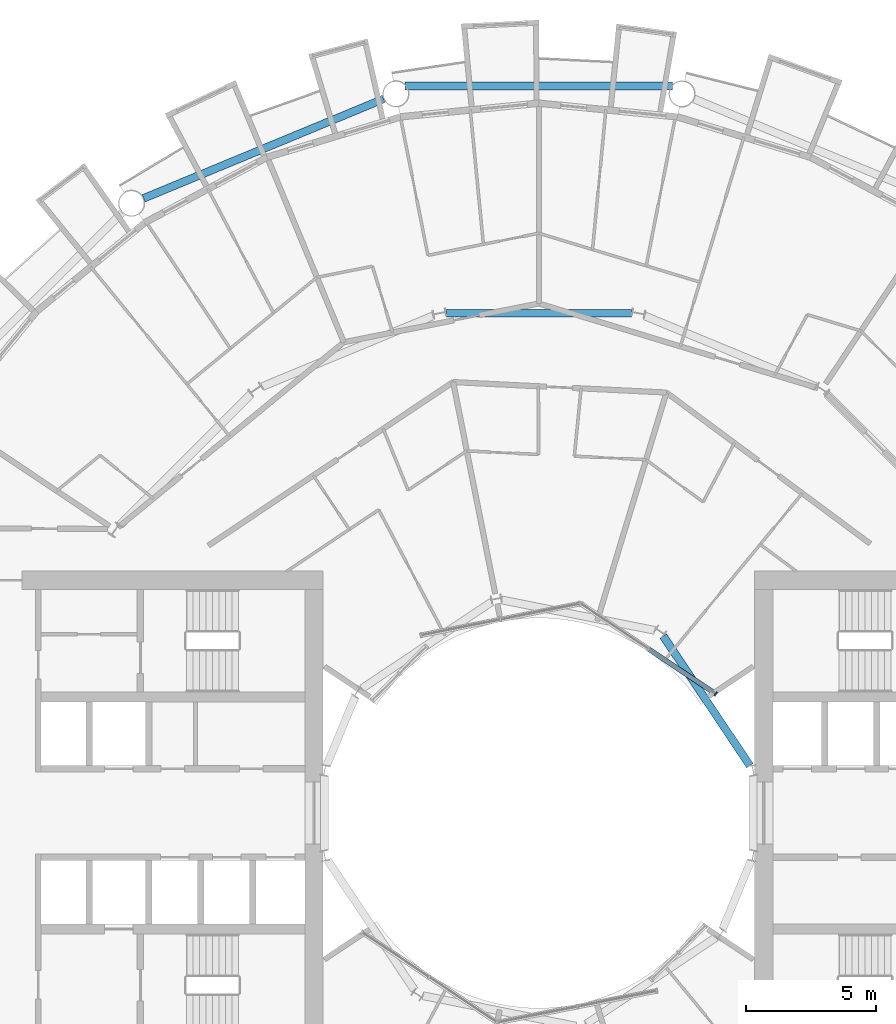
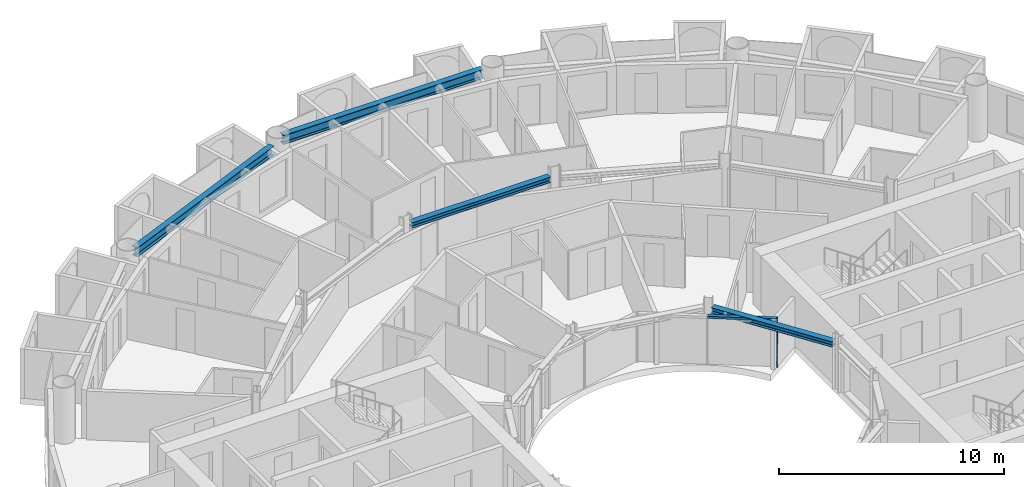
# One storey, part 8 of 25: 4 beams, 2 members, 1 element without a shape of its own.
"""IFC4 building model written with IfcOpenShell, lengths in metres."""

import ifcopenshell
import ifcopenshell.guid

model = None  # the IFC model being written
_history = None  # IfcOwnerHistory: only IFC2X3 demands one
_inside = {}  # id of a spatial element -> (the spatial element, [elements in it])
_under = {}  # id of a project, library or spatial element -> (it, [spatial elements below it])
_declared = {}  # id of a project -> (the project, [libraries it declares])
_typed = {}  # id of a type object -> (the type object, [elements of that type])
_made_of = {}  # id of a material, layer set ... -> (it, [elements and type objects made of it])


def new_model(schema):
    """Start an empty IFC model of exactly this schema.

    Asked for "IFC4X3", IfcOpenShell would pick the latest addendum, in which some entities
    have other attributes; the version numbers below select the first issue.
    IFC2X3 requires an IfcOwnerHistory on every rooted entity: one is made here for all.
    """
    global model, _history
    if schema == "IFC4X3":
        model = ifcopenshell.file(schema_version=(4, 3, 0, 0))
    else:
        model = ifcopenshell.file(schema=schema)
    _inside.clear()
    _under.clear()
    _declared.clear()
    _typed.clear()
    _made_of.clear()
    _history = None
    if model.schema == "IFC2X3":
        org = make("IfcOrganization", Name="unknown")
        user = make(
            "IfcPersonAndOrganization",
            ThePerson=make("IfcPerson", FamilyName="unknown"),
            TheOrganization=org,
        )
        app = make(
            "IfcApplication",
            ApplicationDeveloper=org,
            Version="unknown",
            ApplicationFullName="unknown",
            ApplicationIdentifier="unknown",
        )
        _history = make(
            "IfcOwnerHistory",
            OwningUser=user,
            OwningApplication=app,
            ChangeAction="ADDED",
            CreationDate=0,
        )
    return model


def make(cls, **values):
    """One entity of the class cls with the attributes given. An attribute that is None is left unset."""
    return model.create_entity(
        cls, **{name: value for name, value in values.items() if value is not None}
    )


def rooted(cls, **values):
    """An entity with a GlobalId (a new one), such as an element, a storey or a relation."""
    return make(cls, GlobalId=ifcopenshell.guid.new(), OwnerHistory=_history, **values)


def si_unit(unit_type, name, prefix=None):
    """IfcSIUnit, for example si_unit("LENGTHUNIT", "METRE", prefix="MILLI")."""
    return make("IfcSIUnit", UnitType=unit_type, Prefix=prefix, Name=name)


def assignment(units):
    """IfcUnitAssignment: the units of a project."""
    return None if units is None else make("IfcUnitAssignment", Units=units)


def point(xyz):
    """IfcCartesianPoint."""
    return None if xyz is None else make("IfcCartesianPoint", Coordinates=xyz)


def direction(xyz):
    """IfcDirection."""
    return None if xyz is None else make("IfcDirection", DirectionRatios=xyz)


def frame(location, z_axis=None, x_axis=None):
    """IfcAxis2Placement3D, a coordinate frame: its origin and axes. An axis left out is left unset."""
    return make(
        "IfcAxis2Placement3D",
        Location=point(location),
        Axis=direction(z_axis),
        RefDirection=direction(x_axis),
    )


def frame_2d(location, x_axis=None):
    """IfcAxis2Placement2D, a coordinate frame in the plane: its origin and x axis."""
    return make(
        "IfcAxis2Placement2D", Location=point(location), RefDirection=direction(x_axis)
    )


def origin():
    """The frame at (0, 0, 0) with its axes left unset."""
    return frame((0.0, 0.0, 0.0))


def origin_2d():
    """The frame at (0, 0) in the plane with its x axis left unset."""
    return frame_2d((0.0, 0.0))


def place(relative_to, where):
    """IfcLocalPlacement: puts the frame where relative to a parent placement (None: the world)."""
    return make(
        "IfcLocalPlacement", PlacementRelTo=relative_to, RelativePlacement=where
    )


def context(
    kind, dimensions, precision=None, world=None, true_north=None, identifier=None
):
    """IfcGeometricRepresentationContext, for example the 3D "Model" context."""
    return make(
        "IfcGeometricRepresentationContext",
        ContextIdentifier=identifier,
        ContextType=kind,
        CoordinateSpaceDimension=dimensions,
        Precision=precision,
        WorldCoordinateSystem=world,
        TrueNorth=true_north,
    )


def subcontext(parent, identifier, kind, view, scale=None):
    """IfcGeometricRepresentationSubContext, for example "Body" below "Model"."""
    return make(
        "IfcGeometricRepresentationSubContext",
        ContextIdentifier=identifier,
        ContextType=kind,
        ParentContext=parent,
        TargetScale=scale,
        TargetView=view,
    )


def project(units=None, contexts=None):
    """IfcProject with its units and contexts."""
    return rooted(
        "IfcProject",
        Name="project",
        RepresentationContexts=contexts,
        UnitsInContext=assignment(units),
    )


def spatial(cls, under=None, at=None, **own):
    """A site, building, storey or space (cls), placed at a placement, below another one or the project."""
    s = rooted(cls, ObjectPlacement=at, **own)
    if under is not None:
        _under.setdefault(under.id(), (under, []))[1].append(s)
    return s


def profile(cls, at=None, kind="AREA", **sizes):
    """A parametric profile (cls). Its sizes go by their IFC names, for example OverallWidth=200.0."""
    return make(cls, ProfileType=kind, Position=at, **sizes)


def rectangle(**sizes):
    """IfcRectangleProfileDef."""
    return profile("IfcRectangleProfileDef", **sizes)


def i_section(**sizes):
    """IfcIShapeProfileDef."""
    return profile("IfcIShapeProfileDef", **sizes)


def extrude(swept, where, along, depth):
    """IfcExtrudedAreaSolid: the profile swept, set in the frame where, extruded along a direction by depth."""
    return make(
        "IfcExtrudedAreaSolid",
        SweptArea=swept,
        Position=where,
        ExtrudedDirection=direction(along),
        Depth=depth,
    )


def shape(context_of_items, identifier, shape_type, items):
    """IfcShapeRepresentation: the items that make up one representation, for example the "Body"."""
    return make(
        "IfcShapeRepresentation",
        ContextOfItems=context_of_items,
        RepresentationIdentifier=identifier,
        RepresentationType=shape_type,
        Items=items,
    )


def material(Name=None, Category=None):
    """IfcMaterial."""
    return make("IfcMaterial", Name=Name, Category=Category)


def layer(
    of_material, thickness, ventilated=None, Name=None, Category=None, Priority=None
):
    """IfcMaterialLayer: one layer of a wall or slab, of a material (None: an air gap)."""
    return make(
        "IfcMaterialLayer",
        Material=of_material,
        LayerThickness=thickness,
        IsVentilated=ventilated,
        Name=Name,
        Category=Category,
        Priority=Priority,
    )


def layer_set(layers, Name=None):
    """IfcMaterialLayerSet."""
    return make("IfcMaterialLayerSet", MaterialLayers=layers, LayerSetName=Name)


def material_profile(
    of_material, cross_section, Name=None, Category=None, Priority=None
):
    """IfcMaterialProfile: a cross section and its material."""
    return make(
        "IfcMaterialProfile",
        Name=Name,
        Material=of_material,
        Profile=cross_section,
        Priority=Priority,
        Category=Category,
    )


def profile_set(profiles, Name=None, composite=None):
    """IfcMaterialProfileSet."""
    return make(
        "IfcMaterialProfileSet",
        Name=Name,
        MaterialProfiles=profiles,
        CompositeProfile=composite,
    )


def made_of(thing, what):
    """Note that an element or type object is made of a material, layer set ...; save() writes the relation."""
    if what is not None:
        _made_of.setdefault(what.id(), (what, []))[1].append(thing)
    return thing


def type_object(cls, material=None, **own):
    """A type object (cls), such as IfcWallType, which elements share."""
    return made_of(rooted(cls, **own), material)


def element(
    cls,
    number,
    at=None,
    inside=None,
    cuts=None,
    type_object=None,
    material=None,
    context=None,
    identifier="Body",
    shape_type=None,
    held_by="IfcProductDefinitionShape",
    body=None,
    shapes=None,
    **own,
):
    """One element of the class cls, such as IfcWall. Its Tag is "e" and its number.

    at: its placement. inside: the storey or other place that contains it. cuts: it is an
    opening in that element (IfcRelVoidsElement). A single representation is given by context,
    identifier, shape_type and body (its items); several are given by shapes. held_by: the class
    of the entity that holds the representations. save() writes the other relations.
    """
    e = rooted(cls, Tag="e%d" % number, ObjectPlacement=at, **own)
    if body is not None:
        shapes = [shape(context, identifier, shape_type, body)]
    if shapes is not None:
        e.Representation = make(held_by, Representations=shapes)
    if inside is not None:
        _inside.setdefault(inside.id(), (inside, []))[1].append(e)
    if cuts is not None:
        rooted(
            "IfcRelVoidsElement", RelatingBuildingElement=cuts, RelatedOpeningElement=e
        )
    if type_object is not None:
        _typed.setdefault(type_object.id(), (type_object, []))[1].append(e)
    return made_of(e, material)


def aggregate(whole, parts):
    """IfcRelAggregates: a whole, such as a stair, and the parts it consists of."""
    return rooted("IfcRelAggregates", RelatingObject=whole, RelatedObjects=parts)


def save(model, path):
    """Write the relations noted so far, then the file.

    IfcRelAggregates (storeys below a building ...), IfcRelContainedInSpatialStructure (elements
    in a storey), IfcRelDefinesByType, IfcRelAssociatesMaterial and IfcRelDeclares: one each for
    every whole, place, type object, material and project.
    """
    for whole, parts in _under.values():
        aggregate(whole, parts)
    for where, things in _inside.values():
        rooted(
            "IfcRelContainedInSpatialStructure",
            RelatedElements=things,
            RelatingStructure=where,
        )
    for kind, things in _typed.values():
        rooted("IfcRelDefinesByType", RelatedObjects=things, RelatingType=kind)
    for what, things in _made_of.values():
        rooted("IfcRelAssociatesMaterial", RelatedObjects=things, RelatingMaterial=what)
    for by, libraries in _declared.values():
        rooted("IfcRelDeclares", RelatingContext=by, RelatedDefinitions=libraries)
    model.write(path)


model = new_model("IFC4")

# Units and contexts
model_context = context("Model", 3, precision=1e-05, world=origin(), true_north=direction((0.0, 1.0)))
body_context = subcontext(model_context, "Body", "Model", "MODEL_VIEW")
ifc_project = project(units=[si_unit("LENGTHUNIT", "METRE"), si_unit("AREAUNIT", "SQUARE_METRE"), si_unit("VOLUMEUNIT", "CUBIC_METRE"), si_unit("PLANEANGLEUNIT", "RADIAN"), si_unit("MASSUNIT", "GRAM", prefix="KILO")], contexts=[model_context])

# Site, building, storey
site_placement = place(None, origin())
site = spatial("IfcSite", under=ifc_project, at=site_placement, CompositionType="ELEMENT")
building_placement = place(site_placement, origin())
building = spatial("IfcBuilding", under=site, at=building_placement, Name="Maasbend Ring Residences", CompositionType="ELEMENT")
storey_placement = place(building_placement, frame((0.0, 0.0, 94.10009765625)))
storey = spatial("IfcBuildingStorey", under=building, at=storey_placement, Name="L27", CompositionType="ELEMENT", Elevation=94.10009765625)

# Curtain wall, members
ifc_material_1 = material(Name="Aluminium and clear glass", Category="aluminium")
ifc_layer = layer(ifc_material_1, 0.179931640625)
ifc_layer_set = layer_set([ifc_layer], Name="CW-W")
curtain_wall_type = type_object("IfcCurtainWallType", Name="CW-W", PredefinedType="NOTDEFINED", material=ifc_layer_set)
curtain_wall_placement = place(storey_placement, origin())
curtain_wall = element("IfcCurtainWall", 1, at=curtain_wall_placement, inside=storey, type_object=curtain_wall_type, Name="Well curtain wall N1", PredefinedType="NOTDEFINED")
ifc_material_2 = material(Name="Aluminium 6063-T6", Category="aluminium")
ifc_material_profile_1 = material_profile(ifc_material_2, rectangle(XDim=0.179931640625, YDim=0.06005859375, at=origin_2d()), Name="AL 180x60")
ifc_profile_set_1 = profile_set([ifc_material_profile_1], Name="Aluminium 6063-T6")
member_type_1 = type_object("IfcMemberType", Name="CWM-W", PredefinedType="MULLION", material=ifc_profile_set_1)
member_1_placement = place(storey_placement, frame((6.805908203125, 4.580810546875, 0.0), z_axis=(0.0, 0.0, 1.0), x_axis=(-0.55557023302, -0.831469612303, 0.0)))
member_1 = element("IfcMember", 2, at=member_1_placement, type_object=member_type_1, Name="Mullion well face", PredefinedType="MULLION", context=body_context, shape_type="SweptSolid", body=[
    extrude(rectangle(XDim=0.179931640625, YDim=0.06005859375, at=origin_2d()), origin(), (0.0, 0.0, 1.0), 2.64990234375),
])
ifc_material_3 = material(Name="Aluminium 6063-T6", Category="aluminium")
ifc_material_profile_2 = material_profile(ifc_material_3, rectangle(XDim=0.179931640625, YDim=0.1201171875, at=origin_2d()), Name="AL 180x120")
ifc_profile_set_2 = profile_set([ifc_material_profile_2], Name="Aluminium 6063-T6")
member_type_2 = type_object("IfcMemberType", Name="CWT-W", PredefinedType="USERDEFINED", material=ifc_profile_set_2)
member_2_placement = place(storey_placement, frame((6.781005859375, 4.59765625, 2.58984375), z_axis=(-0.831496422459, 0.555530106689, 0.0), x_axis=(-0.555530106689, -0.831496422459, 0.0)))
member_2 = element("IfcMember", 3, at=member_2_placement, type_object=member_type_2, Name="Transom well face", ObjectType="TRANSOM", PredefinedType="USERDEFINED", context=body_context, shape_type="SweptSolid", body=[
    extrude(rectangle(XDim=0.179931640625, YDim=0.1201171875, at=origin_2d()), origin(), (0.0, 0.0, 1.0), 3.053955078125),
])
aggregate(curtain_wall, [member_1, member_2])

# Beams
ifc_material_4 = material(Name="Steel S355J2", Category="steel")
ifc_material_profile_3 = material_profile(ifc_material_4, i_section(OverallWidth=0.300048828125, OverallDepth=0.300048828125, WebThickness=0.010986328125, FlangeThickness=0.01904296875, FilletRadius=0.027099609375, at=origin_2d()), Name="HEB 300")
ifc_profile_set_3 = profile_set([ifc_material_profile_3], Name="Steel S355J2")
beam_type_1 = type_object("IfcBeamType", Name="Corridor ring beam HEB 300", PredefinedType="BEAM", material=ifc_profile_set_3)
beam_1_placement = place(storey_placement, frame((3.556640625, 19.223388671875, 2.5), z_axis=(-1.0, 0.0, 0.0), x_axis=(0.0, -1.0, 0.0)))
element("IfcBeam", 4, at=beam_1_placement, inside=storey, type_object=beam_type_1, Name="Corridor ring beam", PredefinedType="BEAM", context=body_context, shape_type="SweptSolid", body=[
    extrude(i_section(OverallWidth=0.300048828125, OverallDepth=0.300048828125, WebThickness=0.010986328125, FlangeThickness=0.01904296875, FilletRadius=0.027099609375, at=origin_2d()), origin(), (0.0, 0.0, 1.0), 7.11328125),
])
ifc_material_5 = material(Name="Steel S355J2", Category="steel")
ifc_material_profile_4 = material_profile(ifc_material_5, i_section(OverallWidth=0.300048828125, OverallDepth=0.5, WebThickness=0.014404296875, FlangeThickness=0.028076171875, FilletRadius=0.027099609375, at=origin_2d()), Name="HEB 500")
ifc_profile_set_4 = profile_set([ifc_material_profile_4], Name="Steel S355J2")
beam_type_2 = type_object("IfcBeamType", Name="Spandrel ring beam HEB 500", PredefinedType="SPANDREL", material=ifc_profile_set_4)
beam_2_placement = place(storey_placement, frame((5.1435546875, 27.9580078125, 2.39990234375), z_axis=(-1.0, 0.0, 0.0), x_axis=(0.0, -1.0, 0.0)))
element("IfcBeam", 5, at=beam_2_placement, inside=storey, type_object=beam_type_2, Name="Spandrel ring beam", PredefinedType="SPANDREL", context=body_context, shape_type="SweptSolid", body=[
    extrude(i_section(OverallWidth=0.300048828125, OverallDepth=0.5, WebThickness=0.014404296875, FlangeThickness=0.028076171875, FilletRadius=0.027099609375, at=origin_2d()), origin(), (0.0, 0.0, 1.0), 10.287109375),
])
beam_3_placement = place(storey_placement, frame((-5.970703125, 27.463623046875, 2.39990234375), z_axis=(-0.923886337442, -0.382667003395, 0.0), x_axis=(0.382667003395, -0.923886337442, 0.0)))
element("IfcBeam", 6, at=beam_3_placement, inside=storey, type_object=beam_type_2, Name="Spandrel ring beam", PredefinedType="SPANDREL", context=body_context, shape_type="SweptSolid", body=[
    extrude(i_section(OverallWidth=0.300048828125, OverallDepth=0.5, WebThickness=0.014404296875, FlangeThickness=0.028076171875, FilletRadius=0.027099609375, at=origin_2d()), origin(), (0.0, 0.0, 1.0), 9.9873046875),
])
ifc_material_6 = material(Name="Steel S355J2", Category="steel")
ifc_material_profile_5 = material_profile(ifc_material_6, i_section(OverallWidth=0.300048828125, OverallDepth=0.300048828125, WebThickness=0.010986328125, FlangeThickness=0.01904296875, FilletRadius=0.027099609375, at=origin_2d()), Name="HEB 300")
ifc_profile_set_5 = profile_set([ifc_material_profile_5], Name="Steel S355J2")
beam_type_3 = type_object("IfcBeamType", Name="Well edge beam HEB 300", PredefinedType="BEAM", material=ifc_profile_set_5)
beam_4_placement = place(storey_placement, frame((8.118408203125, 1.81884765625, 2.5), z_axis=(-0.555592533493, 0.83145471117, 0.0), x_axis=(-0.83145471117, -0.555592533493, 0.0)))
element("IfcBeam", 7, at=beam_4_placement, inside=storey, type_object=beam_type_3, Name="Well edge beam", PredefinedType="BEAM", context=body_context, shape_type="SweptSolid", body=[
    extrude(i_section(OverallWidth=0.300048828125, OverallDepth=0.300048828125, WebThickness=0.010986328125, FlangeThickness=0.01904296875, FilletRadius=0.027099609375, at=origin_2d()), origin(), (0.0, 0.0, 1.0), 5.995849609375),
])

save(model, "model.ifc")
